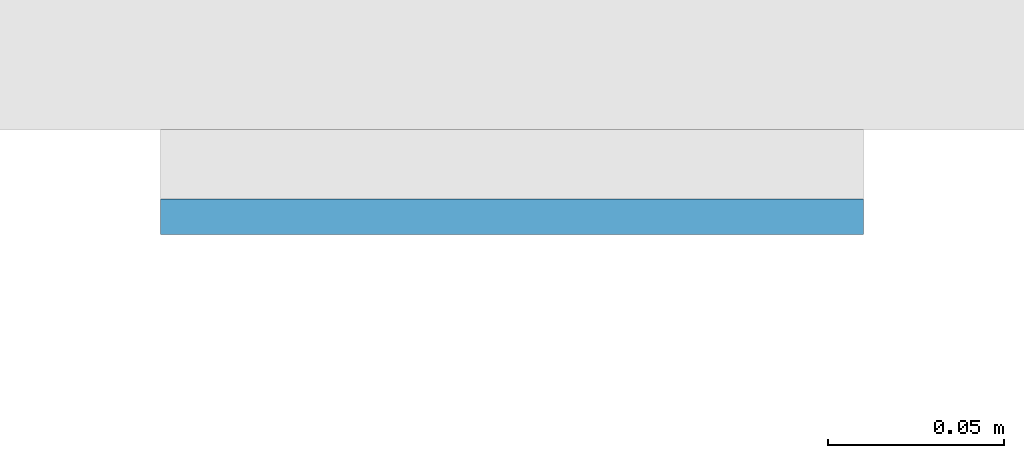
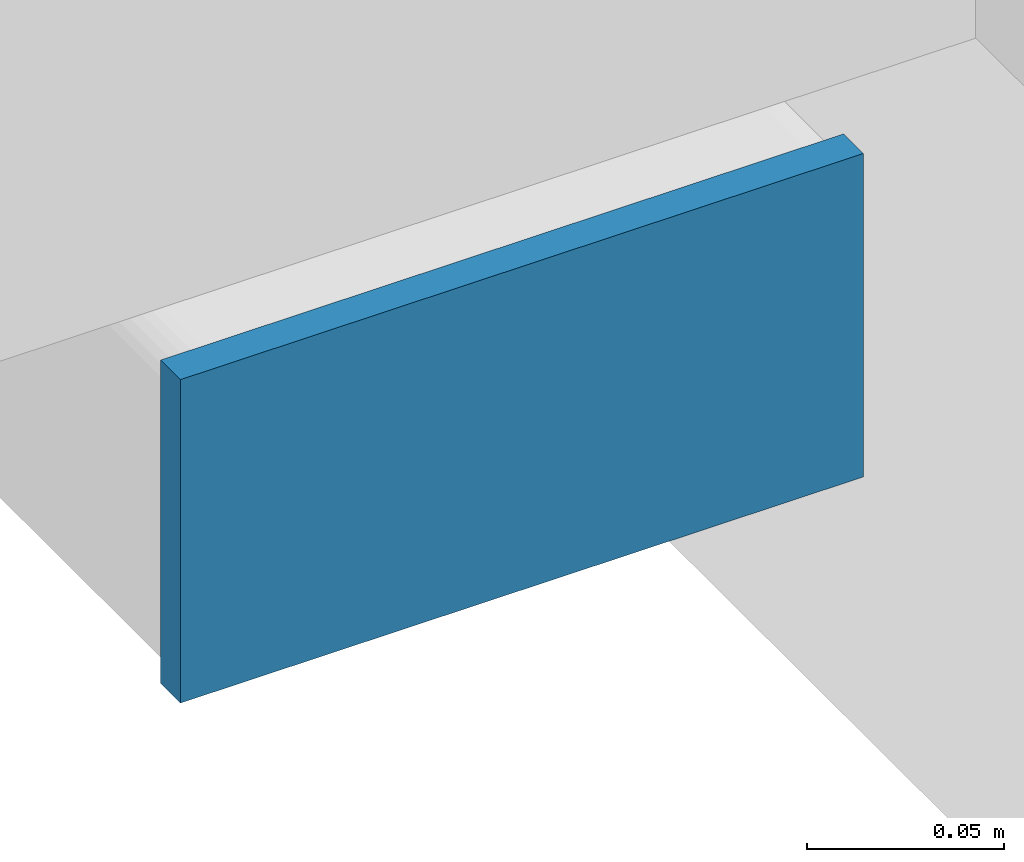
# One storey, part 8 of 21: 1 plate.
"""IFC4 building model written with IfcOpenShell, lengths in metres."""

from ifc_helpers import new_model, si_unit, direction, frame, origin, origin_2d, place, context, subcontext, project, spatial, rectangle, extrude, material, layer, layer_set, type_object, element, save


model = new_model("IFC4")

# Units and contexts
model_context = context("Model", 3, precision=1e-05, world=origin(), true_north=direction((0.0, 1.0)))
body_context = subcontext(model_context, "Body", "Model", "MODEL_VIEW")
ifc_project = project(units=[si_unit("LENGTHUNIT", "METRE"), si_unit("AREAUNIT", "SQUARE_METRE"), si_unit("VOLUMEUNIT", "CUBIC_METRE"), si_unit("PLANEANGLEUNIT", "RADIAN"), si_unit("MASSUNIT", "GRAM", prefix="KILO")], contexts=[model_context])

# Site, building, storey
site_placement = place(None, origin())
site = spatial("IfcSite", under=ifc_project, at=site_placement, CompositionType="ELEMENT")
building_placement = place(site_placement, origin())
building = spatial("IfcBuilding", under=site, at=building_placement, Name="Cleftline Residences", CompositionType="ELEMENT")
storey_placement = place(building_placement, frame((0.0, 0.0, 65.60009765625)))
storey = spatial("IfcBuildingStorey", under=building, at=storey_placement, Name="L16", CompositionType="ELEMENT", Elevation=65.60009765625)

# Plate
ifc_material = material(Name="Steel S355, hot-dip galvanised", Category="steel")
ifc_layer = layer(ifc_material, 0.010009765625)
ifc_layer_set = layer_set([ifc_layer], Name="BAGUETTE CARRIER END PLATE 200X100X10")
plate_type = type_object("IfcPlateType", Name="BAGUETTE CARRIER END PLATE 200X100X10", PredefinedType="USERDEFINED", material=ifc_layer_set)
plate_placement = place(storey_placement, frame((-0.85009765625, 3.695068359375, -0.10009765625), z_axis=(0.0, 0.0, 1.0), x_axis=(-1.0, 0.0, 0.0)))
element("IfcPlate", 1, at=plate_placement, inside=storey, type_object=plate_type, Name="Baguette carrier end plate", ObjectType="BAGUETTE CARRIER END PLATE", PredefinedType="USERDEFINED", context=body_context, shape_type="SweptSolid", body=[
    extrude(rectangle(XDim=0.199951171875, YDim=0.010009765625, at=origin_2d()), origin(), (0.0, 0.0, 1.0), 0.10009765625),
])

save(model, "model.ifc")
